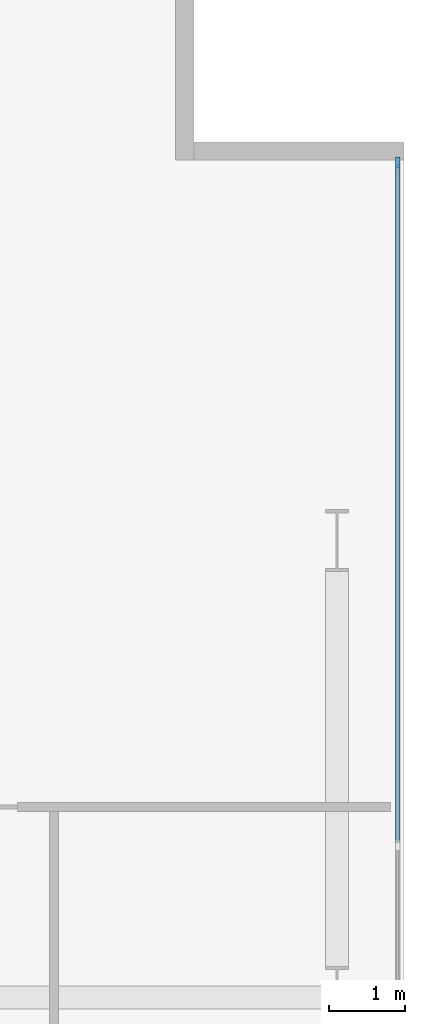
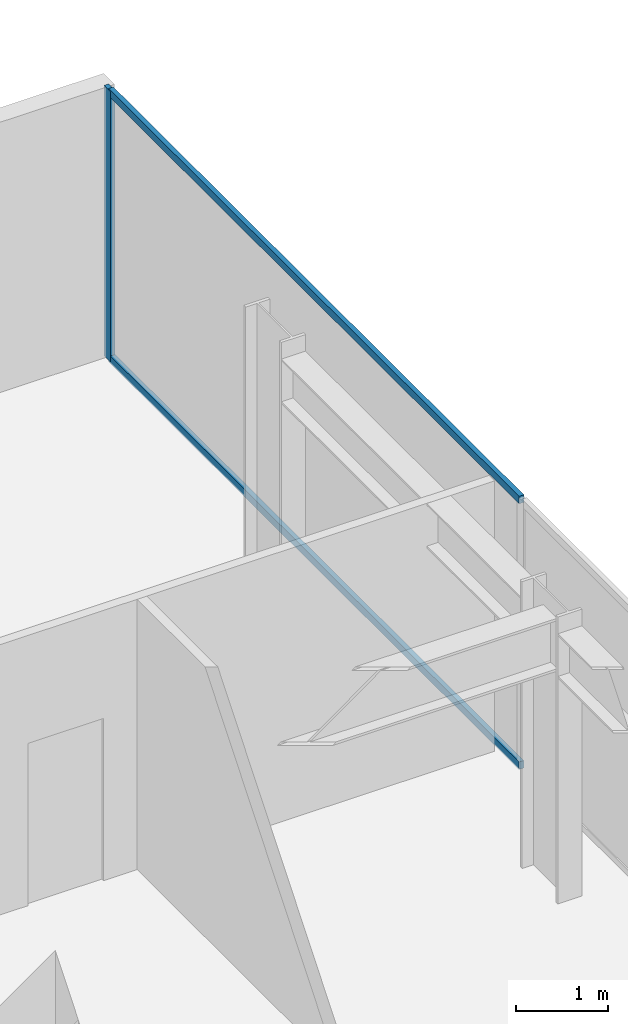
# One storey, part 15 of 23: 3 members, 1 element without a shape of its own.
"""IFC4 building model written with IfcOpenShell, lengths in metres."""

from ifc_helpers import new_model, si_unit, direction, frame, origin, origin_2d, place, context, subcontext, project, spatial, rectangle, extrude, material, layer, layer_set, material_profile, profile_set, type_object, element, aggregate, save


model = new_model("IFC4")

# Units and contexts
model_context = context("Model", 3, precision=1e-05, world=origin(), true_north=direction((0.0, 1.0)))
body_context = subcontext(model_context, "Body", "Model", "MODEL_VIEW")
ifc_project = project(units=[si_unit("LENGTHUNIT", "METRE"), si_unit("AREAUNIT", "SQUARE_METRE"), si_unit("VOLUMEUNIT", "CUBIC_METRE"), si_unit("PLANEANGLEUNIT", "RADIAN"), si_unit("MASSUNIT", "GRAM", prefix="KILO")], contexts=[model_context])

# Site, building, storey
site_placement = place(None, origin())
site = spatial("IfcSite", under=ifc_project, at=site_placement, CompositionType="ELEMENT")
building_placement = place(site_placement, origin())
building = spatial("IfcBuilding", under=site, at=building_placement, Name="Putna Gate Headquarters", CompositionType="ELEMENT")
storey_placement = place(building_placement, frame((0.0, 0.0, 210.0)))
storey = spatial("IfcBuildingStorey", under=building, at=storey_placement, Name="L52", CompositionType="ELEMENT", Elevation=210.0)

# Curtain wall, members
ifc_material_1 = material(Name="Anodised bronze aluminium curtain wall", Category="aluminium")
ifc_layer = layer(ifc_material_1, 0.139892578125)
ifc_layer_set = layer_set([ifc_layer], Name="Anodised bronze aluminium curtain wall")
curtain_wall_type = type_object("IfcCurtainWallType", Name="CW-SYS-Z4", PredefinedType="USERDEFINED", material=ifc_layer_set)
curtain_wall_placement = place(storey_placement, origin())
curtain_wall = element("IfcCurtainWall", 1, at=curtain_wall_placement, inside=storey, type_object=curtain_wall_type, Name="L52 East Curtain Wall", ObjectType="STICK CURTAIN WALL", PredefinedType="USERDEFINED")
ifc_material_2 = material(Name="Anodised bronze aluminium EN AW-6060", Category="aluminium")
ifc_material_profile_1 = material_profile(ifc_material_2, rectangle(XDim=0.06005859375, YDim=0.139892578125, at=origin_2d()), Name="Anodised bronze aluminium EN AW-6060")
ifc_profile_set_1 = profile_set([ifc_material_profile_1], Name="Anodised bronze aluminium EN AW-6060")
member_type_1 = type_object("IfcMemberType", Name="MULL-CWM-4", PredefinedType="MULLION", material=ifc_profile_set_1)
member_1_placement = place(storey_placement, frame((72.1201171875, 43.969970703125, 0.0), z_axis=(0.0, 0.0, 1.0), x_axis=(-1.0, 0.0, 0.0)))
member_1 = element("IfcMember", 2, at=member_1_placement, type_object=member_type_1, Name="CWS-4 mullion 5", PredefinedType="MULLION", context=body_context, shape_type="SweptSolid", body=[
    extrude(rectangle(XDim=0.06005859375, YDim=0.139892578125, at=origin_2d()), origin(), (0.0, 0.0, 1.0), 3.580078125),
])
ifc_material_profile_2 = material_profile(ifc_material_2, rectangle(XDim=0.06005859375, YDim=0.10009765625, at=origin_2d()), Name="Anodised bronze aluminium EN AW-6060")
ifc_profile_set_2 = profile_set([ifc_material_profile_2], Name="Anodised bronze aluminium EN AW-6060")
member_type_2 = type_object("IfcMemberType", Name="TRAN-CWT-4", PredefinedType="USERDEFINED", material=ifc_profile_set_2)
member_2_placement = place(storey_placement, frame((72.1201171875, 35.030029296875, 0.030029296875), z_axis=(0.0, 1.0, 0.0), x_axis=(-1.0, 0.0, 0.0)))
member_2 = element("IfcMember", 3, at=member_2_placement, type_object=member_type_2, Name="CWS-4 transom 4.1", ObjectType="TRANSOM", PredefinedType="USERDEFINED", context=body_context, shape_type="SweptSolid", body=[
    extrude(rectangle(XDim=0.06005859375, YDim=0.10009765625, at=origin_2d()), origin(), (0.0, 0.0, 1.0), 8.909912109375),
])
member_3_placement = place(storey_placement, frame((72.1201171875, 35.030029296875, 3.550048828125), z_axis=(0.0, 1.0, 0.0), x_axis=(-1.0, 0.0, 0.0)))
member_3 = element("IfcMember", 4, at=member_3_placement, type_object=member_type_2, Name="CWS-4 transom 4.2", ObjectType="TRANSOM", PredefinedType="USERDEFINED", context=body_context, shape_type="SweptSolid", body=[
    extrude(rectangle(XDim=0.06005859375, YDim=0.10009765625, at=origin_2d()), origin(), (0.0, 0.0, 1.0), 8.909912109375),
])
aggregate(curtain_wall, [member_1, member_2, member_3])

save(model, "model.ifc")
